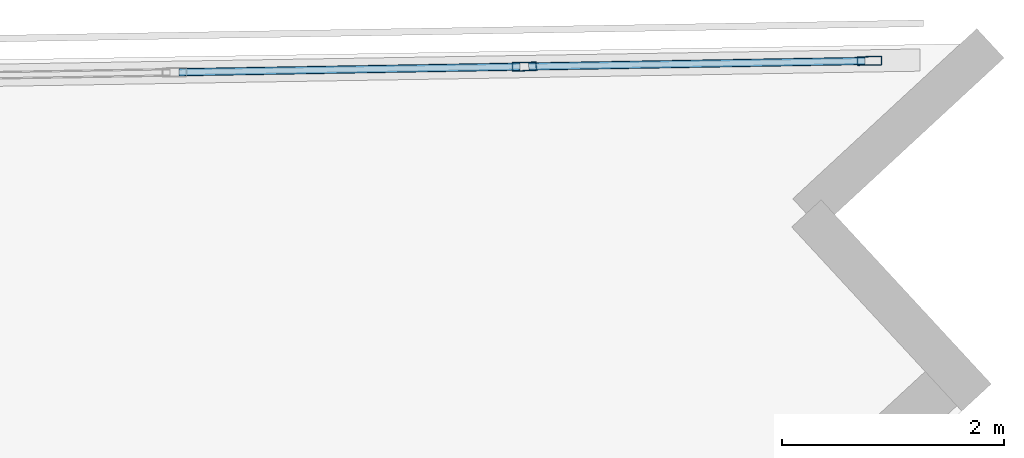
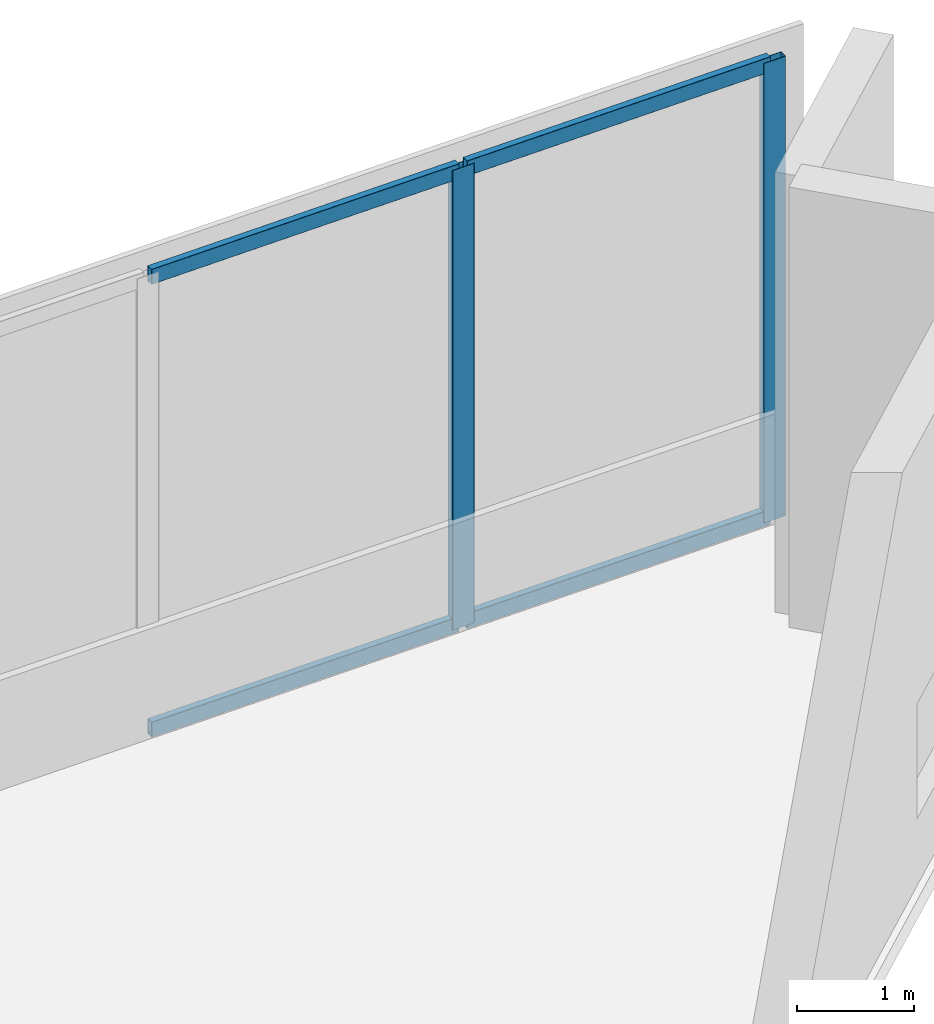
# One storey, part 7 of 12: 6 members, 1 element without a shape of its own.
"""IFC4 building model written with IfcOpenShell, lengths in metres."""

from ifc_helpers import new_model, si_unit, direction, frame, origin, origin_2d, place, context, subcontext, project, spatial, hollow_rectangle, extrude, material, material_profile, profile_set, type_object, element, aggregate, save


model = new_model("IFC4")

# Units and contexts
model_context = context("Model", 3, precision=1e-05, world=origin(), true_north=direction((0.0, 1.0)))
body_context = subcontext(model_context, "Body", "Model", "MODEL_VIEW")
ifc_project = project(units=[si_unit("LENGTHUNIT", "METRE"), si_unit("AREAUNIT", "SQUARE_METRE"), si_unit("VOLUMEUNIT", "CUBIC_METRE"), si_unit("PLANEANGLEUNIT", "RADIAN"), si_unit("MASSUNIT", "GRAM", prefix="KILO")], contexts=[model_context])

# Site, building, storey
site_placement = place(None, origin())
site = spatial("IfcSite", under=ifc_project, at=site_placement, CompositionType="ELEMENT")
building_placement = place(site_placement, origin())
building = spatial("IfcBuilding", under=site, at=building_placement, Name="Narakoshi Arena Tower", CompositionType="ELEMENT")
storey_placement = place(building_placement, frame((0.0, 0.0, 298.179931640625)))
storey = spatial("IfcBuildingStorey", under=building, at=storey_placement, Name="L81", CompositionType="ELEMENT", Elevation=298.179931640625)

# Curtain wall, members
ifc_material = material(Name="Anodised bronze aluminium 6063-T6", Category="aluminium")
curtain_wall_type = type_object("IfcCurtainWallType", Name="CW-CRN-FACET", PredefinedType="NOTDEFINED", material=ifc_material)
curtain_wall_placement = place(storey_placement, origin())
curtain_wall = element("IfcCurtainWall", 1, at=curtain_wall_placement, inside=storey, type_object=curtain_wall_type, Name="L81 Slanted-Cut Crown Curtain Wall 6-1", PredefinedType="NOTDEFINED")
ifc_material_profile_1 = material_profile(ifc_material, hollow_rectangle(XDim=0.080078125, YDim=0.219970703125, WallThickness=0.0048828125, OuterFilletRadius=0.006103515625, at=origin_2d()), Name="MUL220x80x5")
ifc_profile_set_1 = profile_set([ifc_material_profile_1], Name="Anodised bronze aluminium 6063-T6")
member_type_1 = type_object("IfcMemberType", Name="MEM-MUL-220", PredefinedType="MULLION", material=ifc_profile_set_1)
member_1_placement = place(storey_placement, frame((107.7626953125, 64.05419921875, 0.0), z_axis=(0.0, 0.0, 1.0), x_axis=(-0.016446618882, 0.999864745217, 0.0)))
member_1 = element("IfcMember", 2, at=member_1_placement, type_object=member_type_1, Name="CW-06 mullion 9", PredefinedType="MULLION", context=body_context, shape_type="SweptSolid", body=[
    extrude(hollow_rectangle(XDim=0.080078125, YDim=0.219970703125, WallThickness=0.0048828125, OuterFilletRadius=0.006103515625, at=origin_2d()), origin(), (0.0, 0.0, 1.0), 4.800048828125),
])
member_2_placement = place(storey_placement, frame((110.869140625, 64.105224609375, 0.0), z_axis=(0.0, 0.0, 1.0), x_axis=(-0.016446618882, 0.999864745217, 0.0)))
member_2 = element("IfcMember", 3, at=member_2_placement, type_object=member_type_1, Name="CW-06 mullion 10", PredefinedType="MULLION", context=body_context, shape_type="SweptSolid", body=[
    extrude(hollow_rectangle(XDim=0.080078125, YDim=0.219970703125, WallThickness=0.0048828125, OuterFilletRadius=0.006103515625, at=origin_2d()), origin(), (0.0, 0.0, 1.0), 4.800048828125),
])
ifc_material_profile_2 = material_profile(ifc_material, hollow_rectangle(XDim=0.070068359375, YDim=0.159912109375, WallThickness=0.00390625, OuterFilletRadius=0.0048828125, at=origin_2d()), Name="TRN160x70x4")
ifc_profile_set_2 = profile_set([ifc_material_profile_2], Name="Anodised bronze aluminium 6063-T6")
member_type_2 = type_object("IfcMemberType", Name="MEM-TRN-160", PredefinedType="USERDEFINED", material=ifc_profile_set_2)
member_3_placement = place(storey_placement, frame((104.65625, 64.0029296875, 0.03515625), z_axis=(0.999864217764, 0.016478653907, 0.0), x_axis=(-0.016478653907, 0.999864217764, 0.0)))
member_3 = element("IfcMember", 4, at=member_3_placement, type_object=member_type_2, Name="CW-06 transom 8.1", ObjectType="TRANSOM", PredefinedType="USERDEFINED", context=body_context, shape_type="SweptSolid", body=[
    extrude(hollow_rectangle(XDim=0.070068359375, YDim=0.159912109375, WallThickness=0.00390625, OuterFilletRadius=0.0048828125, at=origin_2d()), origin(), (0.0, 0.0, 1.0), 3.06689453125),
])
member_4_placement = place(storey_placement, frame((104.65625, 64.0029296875, 4.76513671875), z_axis=(0.999864217764, 0.016478653907, 0.0), x_axis=(-0.016478653907, 0.999864217764, 0.0)))
member_4 = element("IfcMember", 5, at=member_4_placement, type_object=member_type_2, Name="CW-06 transom 8.2", ObjectType="TRANSOM", PredefinedType="USERDEFINED", context=body_context, shape_type="SweptSolid", body=[
    extrude(hollow_rectangle(XDim=0.070068359375, YDim=0.159912109375, WallThickness=0.00390625, OuterFilletRadius=0.0048828125, at=origin_2d()), origin(), (0.0, 0.0, 1.0), 3.06689453125),
])
member_5_placement = place(storey_placement, frame((107.802734375, 64.0546875, 0.03515625), z_axis=(0.999864612366, 0.016454693524, 0.0), x_axis=(-0.016454693524, 0.999864612366, 0.0)))
member_5 = element("IfcMember", 6, at=member_5_placement, type_object=member_type_2, Name="CW-06 transom 9.1", ObjectType="TRANSOM", PredefinedType="USERDEFINED", context=body_context, shape_type="SweptSolid", body=[
    extrude(hollow_rectangle(XDim=0.070068359375, YDim=0.159912109375, WallThickness=0.00390625, OuterFilletRadius=0.0048828125, at=origin_2d()), origin(), (0.0, 0.0, 1.0), 3.02685546875),
])
member_6_placement = place(storey_placement, frame((107.802734375, 64.0546875, 4.76513671875), z_axis=(0.999864612366, 0.016454693524, 0.0), x_axis=(-0.016454693524, 0.999864612366, 0.0)))
member_6 = element("IfcMember", 7, at=member_6_placement, type_object=member_type_2, Name="CW-06 transom 9.2", ObjectType="TRANSOM", PredefinedType="USERDEFINED", context=body_context, shape_type="SweptSolid", body=[
    extrude(hollow_rectangle(XDim=0.070068359375, YDim=0.159912109375, WallThickness=0.00390625, OuterFilletRadius=0.0048828125, at=origin_2d()), origin(), (0.0, 0.0, 1.0), 3.02685546875),
])
aggregate(curtain_wall, [member_1, member_2, member_3, member_4, member_5, member_6])

save(model, "model.ifc")
